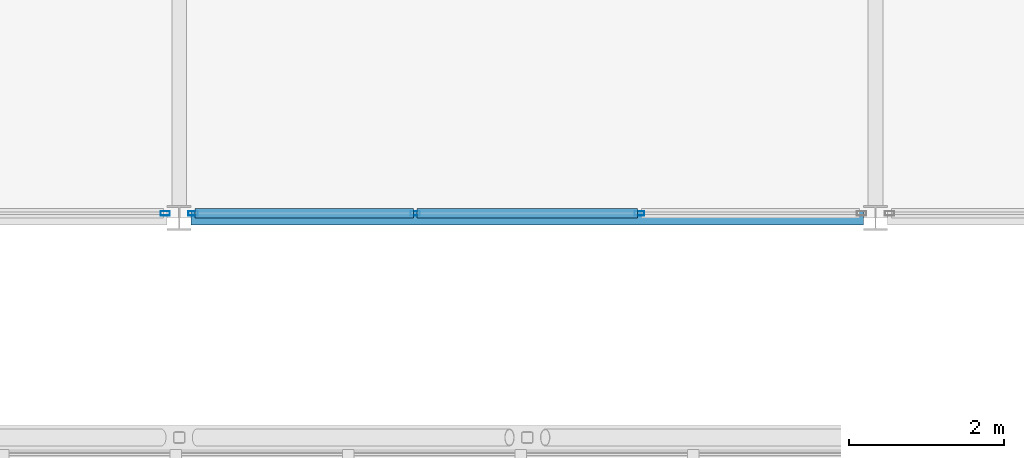
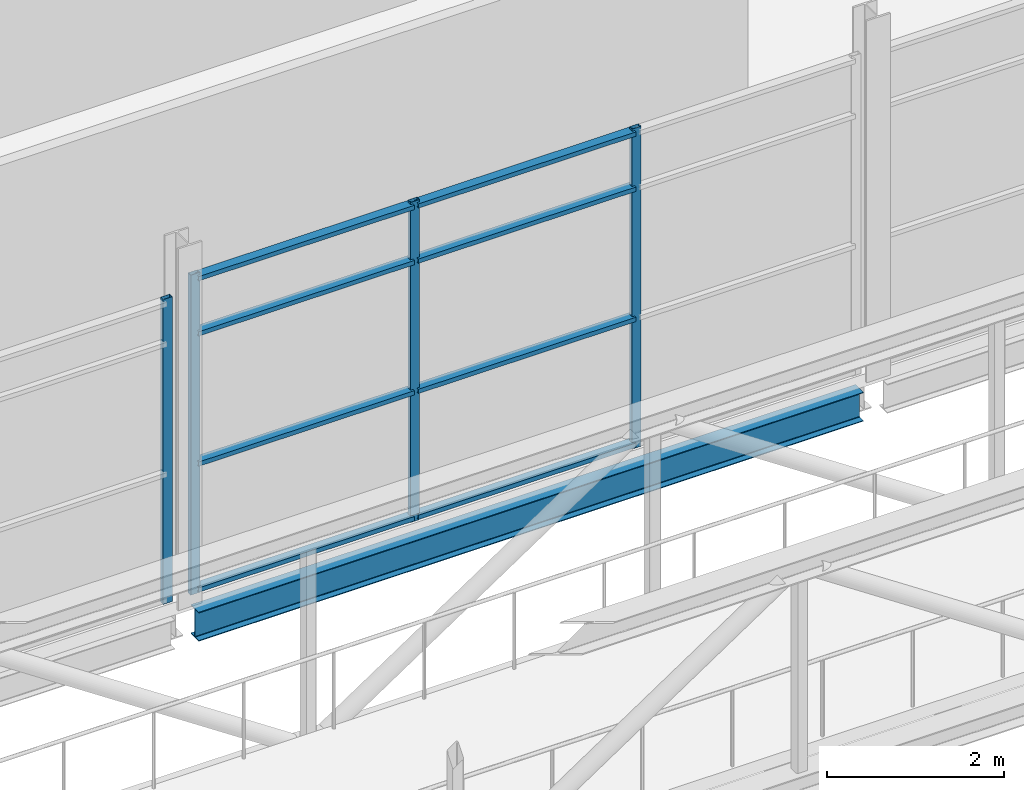
# One storey, part 61 of 115: 12 members, 1 beam, 2 elements without a shape of their own.
"""IFC4 building model written with IfcOpenShell, lengths in metres."""

from ifc_helpers import new_model, si_unit, direction, frame, origin, origin_2d, place, context, subcontext, project, spatial, hollow_rectangle, i_section, extrude, material, layer, layer_set, material_profile, profile_set, type_object, element, aggregate, save


model = new_model("IFC4")

# Units and contexts
model_context = context("Model", 3, precision=1e-05, world=origin(), true_north=direction((0.0, 1.0)))
body_context = subcontext(model_context, "Body", "Model", "MODEL_VIEW")
ifc_project = project(units=[si_unit("LENGTHUNIT", "METRE"), si_unit("AREAUNIT", "SQUARE_METRE"), si_unit("VOLUMEUNIT", "CUBIC_METRE"), si_unit("PLANEANGLEUNIT", "RADIAN"), si_unit("MASSUNIT", "GRAM", prefix="KILO")], contexts=[model_context])

# Site, building, storey
site_placement = place(None, origin())
site = spatial("IfcSite", under=ifc_project, at=site_placement, CompositionType="ELEMENT")
building_placement = place(site_placement, origin())
building = spatial("IfcBuilding", under=site, at=building_placement, Name="Shorebreak Coast Museum", CompositionType="ELEMENT")
storey_placement = place(building_placement, frame((0.0, 0.0, 11.0)))
storey = spatial("IfcBuildingStorey", under=building, at=storey_placement, Name="L02", CompositionType="ELEMENT", Elevation=11.0)

# Beam
ifc_material_1 = material(Name="Steel Grade 300", Category="steel")
ifc_material_profile_1 = material_profile(ifc_material_1, i_section(OverallWidth=0.177978515625, OverallDepth=0.402587890625, WebThickness=0.007568359375, FlangeThickness=0.010986328125, FilletRadius=0.011474609375, at=origin_2d()), Name="410UB53.7")
ifc_profile_set_1 = profile_set([ifc_material_profile_1], Name="Steel Grade 300")
beam_type = type_object("IfcBeamType", Name="Floor girder east-west 410UB53.7", PredefinedType="BEAM", material=ifc_profile_set_1)
beam_placement = place(storey_placement, frame((90.155517578125, 81.0, -0.376220703125), z_axis=(1.0, 0.0, 0.0), x_axis=(0.0, 1.0, 0.0)))
element("IfcBeam", 1, at=beam_placement, inside=storey, type_object=beam_type, Name="Floor girder east-west L02 11K", PredefinedType="BEAM", context=body_context, shape_type="SweptSolid", body=[
    extrude(i_section(OverallWidth=0.177978515625, OverallDepth=0.402587890625, WebThickness=0.007568359375, FlangeThickness=0.010986328125, FilletRadius=0.011474609375, at=origin_2d()), origin(), (0.0, 0.0, 1.0), 8.68896484375),
])

# Curtain wall, member
ifc_material_2 = material(Name="Aluminium", Category="aluminium")
ifc_layer = layer(ifc_material_2, 0.1201171875)
ifc_layer_set = layer_set([ifc_layer], Name="Aluminium")
curtain_wall_type = type_object("IfcCurtainWallType", Name="Atrium fire screen", PredefinedType="NOTDEFINED", material=ifc_layer_set)
curtain_wall_1_placement = place(storey_placement, origin())
curtain_wall_1 = element("IfcCurtainWall", 2, at=curtain_wall_1_placement, inside=storey, type_object=curtain_wall_type, Name="Atrium screen L02 N 24", PredefinedType="NOTDEFINED")
ifc_material_3 = material(Name="Aluminium", Category="aluminium")
ifc_material_profile_2 = material_profile(ifc_material_3, hollow_rectangle(XDim=0.06005859375, YDim=0.1201171875, WallThickness=0.00341796875, at=origin_2d()), Name="AL 120x60 RHS")
ifc_profile_set_2 = profile_set([ifc_material_profile_2], Name="Aluminium")
member_type_1 = type_object("IfcMemberType", Name="Screen mullion 50 x 120", PredefinedType="MULLION", material=ifc_profile_set_2)
member_1_placement = place(storey_placement, frame((89.819580078125, 81.06005859375, 0.0), z_axis=(0.0, 0.0, 1.0), x_axis=(0.0, 1.0, 0.0)))
member_1 = element("IfcMember", 3, at=member_1_placement, type_object=member_type_1, Name="CW4 mullion 4", PredefinedType="MULLION", context=body_context, shape_type="SweptSolid", body=[
    extrude(hollow_rectangle(XDim=0.06005859375, YDim=0.1201171875, WallThickness=0.00341796875, at=origin_2d()), origin(), (0.0, 0.0, 1.0), 4.212890625),
])
aggregate(curtain_wall_1, [member_1])

# Curtain wall, members
curtain_wall_2_placement = place(storey_placement, origin())
curtain_wall_2 = element("IfcCurtainWall", 4, at=curtain_wall_2_placement, inside=storey, type_object=curtain_wall_type, Name="Atrium screen L02 N 25", PredefinedType="NOTDEFINED")
member_2_placement = place(storey_placement, frame((90.180419921875, 81.06005859375, 0.0), z_axis=(0.0, 0.0, 1.0), x_axis=(0.0, 1.0, 0.0)))
member_2 = element("IfcMember", 5, at=member_2_placement, type_object=member_type_1, Name="CW5 mullion 1", PredefinedType="MULLION", context=body_context, shape_type="SweptSolid", body=[
    extrude(hollow_rectangle(XDim=0.06005859375, YDim=0.1201171875, WallThickness=0.00341796875, at=origin_2d()), origin(), (0.0, 0.0, 1.0), 4.42236328125),
])
member_3_placement = place(storey_placement, frame((93.0517578125, 81.06005859375, 0.0), z_axis=(0.0, 0.0, 1.0), x_axis=(0.0, 1.0, 0.0)))
member_3 = element("IfcMember", 6, at=member_3_placement, type_object=member_type_1, Name="CW5 mullion 2", PredefinedType="MULLION", context=body_context, shape_type="SweptSolid", body=[
    extrude(hollow_rectangle(XDim=0.06005859375, YDim=0.1201171875, WallThickness=0.00341796875, at=origin_2d()), origin(), (0.0, 0.0, 1.0), 4.42236328125),
])
member_4_placement = place(storey_placement, frame((95.9482421875, 81.06005859375, 0.0), z_axis=(0.0, 0.0, 1.0), x_axis=(0.0, 1.0, 0.0)))
member_4 = element("IfcMember", 7, at=member_4_placement, type_object=member_type_1, Name="CW5 mullion 3", PredefinedType="MULLION", context=body_context, shape_type="SweptSolid", body=[
    extrude(hollow_rectangle(XDim=0.06005859375, YDim=0.1201171875, WallThickness=0.00341796875, at=origin_2d()), origin(), (0.0, 0.0, 1.0), 4.42236328125),
])
ifc_material_4 = material(Name="Aluminium", Category="aluminium")
ifc_material_profile_3 = material_profile(ifc_material_4, hollow_rectangle(XDim=0.1201171875, YDim=0.06005859375, WallThickness=0.00341796875, at=origin_2d()), Name="AL 60x120 RHS")
ifc_profile_set_3 = profile_set([ifc_material_profile_3], Name="Aluminium")
member_type_2 = type_object("IfcMemberType", Name="Screen transom 120 x 50", PredefinedType="USERDEFINED", material=ifc_profile_set_3)
member_5_placement = place(storey_placement, frame((90.20556640625, 81.06005859375, 0.06005859375), z_axis=(1.0, 0.0, 0.0), x_axis=(0.0, 1.0, 0.0)))
member_5 = element("IfcMember", 8, at=member_5_placement, type_object=member_type_2, Name="CW5 transom 1.1", ObjectType="TRANSOM", PredefinedType="USERDEFINED", context=body_context, shape_type="SweptSolid", body=[
    extrude(hollow_rectangle(XDim=0.1201171875, YDim=0.06005859375, WallThickness=0.00341796875, at=origin_2d()), origin(), (0.0, 0.0, 1.0), 2.8212890625),
])
member_6_placement = place(storey_placement, frame((90.20556640625, 81.06005859375, 1.800048828125), z_axis=(1.0, 0.0, 0.0), x_axis=(0.0, 1.0, 0.0)))
member_6 = element("IfcMember", 9, at=member_6_placement, type_object=member_type_2, Name="CW5 transom 1.2", ObjectType="TRANSOM", PredefinedType="USERDEFINED", context=body_context, shape_type="SweptSolid", body=[
    extrude(hollow_rectangle(XDim=0.1201171875, YDim=0.06005859375, WallThickness=0.00341796875, at=origin_2d()), origin(), (0.0, 0.0, 1.0), 2.8212890625),
])
member_7_placement = place(storey_placement, frame((90.20556640625, 81.06005859375, 3.60009765625), z_axis=(1.0, 0.0, 0.0), x_axis=(0.0, 1.0, 0.0)))
member_7 = element("IfcMember", 10, at=member_7_placement, type_object=member_type_2, Name="CW5 transom 1.3", ObjectType="TRANSOM", PredefinedType="USERDEFINED", context=body_context, shape_type="SweptSolid", body=[
    extrude(hollow_rectangle(XDim=0.1201171875, YDim=0.06005859375, WallThickness=0.00341796875, at=origin_2d()), origin(), (0.0, 0.0, 1.0), 2.8212890625),
])
member_8_placement = place(storey_placement, frame((90.20556640625, 81.06005859375, 4.3623046875), z_axis=(1.0, 0.0, 0.0), x_axis=(0.0, 1.0, 0.0)))
member_8 = element("IfcMember", 11, at=member_8_placement, type_object=member_type_2, Name="CW5 transom 1.4", ObjectType="TRANSOM", PredefinedType="USERDEFINED", context=body_context, shape_type="SweptSolid", body=[
    extrude(hollow_rectangle(XDim=0.1201171875, YDim=0.06005859375, WallThickness=0.00341796875, at=origin_2d()), origin(), (0.0, 0.0, 1.0), 2.8212890625),
])
member_9_placement = place(storey_placement, frame((93.076904296875, 81.06005859375, 0.06005859375), z_axis=(1.0, 0.0, 0.0), x_axis=(0.0, 1.0, 0.0)))
member_9 = element("IfcMember", 12, at=member_9_placement, type_object=member_type_2, Name="CW5 transom 2.1", ObjectType="TRANSOM", PredefinedType="USERDEFINED", context=body_context, shape_type="SweptSolid", body=[
    extrude(hollow_rectangle(XDim=0.1201171875, YDim=0.06005859375, WallThickness=0.00341796875, at=origin_2d()), origin(), (0.0, 0.0, 1.0), 2.84619140625),
])
member_10_placement = place(storey_placement, frame((93.076904296875, 81.06005859375, 1.800048828125), z_axis=(1.0, 0.0, 0.0), x_axis=(0.0, 1.0, 0.0)))
member_10 = element("IfcMember", 13, at=member_10_placement, type_object=member_type_2, Name="CW5 transom 2.2", ObjectType="TRANSOM", PredefinedType="USERDEFINED", context=body_context, shape_type="SweptSolid", body=[
    extrude(hollow_rectangle(XDim=0.1201171875, YDim=0.06005859375, WallThickness=0.00341796875, at=origin_2d()), origin(), (0.0, 0.0, 1.0), 2.84619140625),
])
member_11_placement = place(storey_placement, frame((93.076904296875, 81.06005859375, 3.60009765625), z_axis=(1.0, 0.0, 0.0), x_axis=(0.0, 1.0, 0.0)))
member_11 = element("IfcMember", 14, at=member_11_placement, type_object=member_type_2, Name="CW5 transom 2.3", ObjectType="TRANSOM", PredefinedType="USERDEFINED", context=body_context, shape_type="SweptSolid", body=[
    extrude(hollow_rectangle(XDim=0.1201171875, YDim=0.06005859375, WallThickness=0.00341796875, at=origin_2d()), origin(), (0.0, 0.0, 1.0), 2.84619140625),
])
member_12_placement = place(storey_placement, frame((93.076904296875, 81.06005859375, 4.3623046875), z_axis=(1.0, 0.0, 0.0), x_axis=(0.0, 1.0, 0.0)))
member_12 = element("IfcMember", 15, at=member_12_placement, type_object=member_type_2, Name="CW5 transom 2.4", ObjectType="TRANSOM", PredefinedType="USERDEFINED", context=body_context, shape_type="SweptSolid", body=[
    extrude(hollow_rectangle(XDim=0.1201171875, YDim=0.06005859375, WallThickness=0.00341796875, at=origin_2d()), origin(), (0.0, 0.0, 1.0), 2.84619140625),
])
aggregate(curtain_wall_2, [member_2, member_3, member_4, member_5, member_6, member_7, member_8, member_9, member_10, member_11, member_12])

save(model, "model.ifc")
